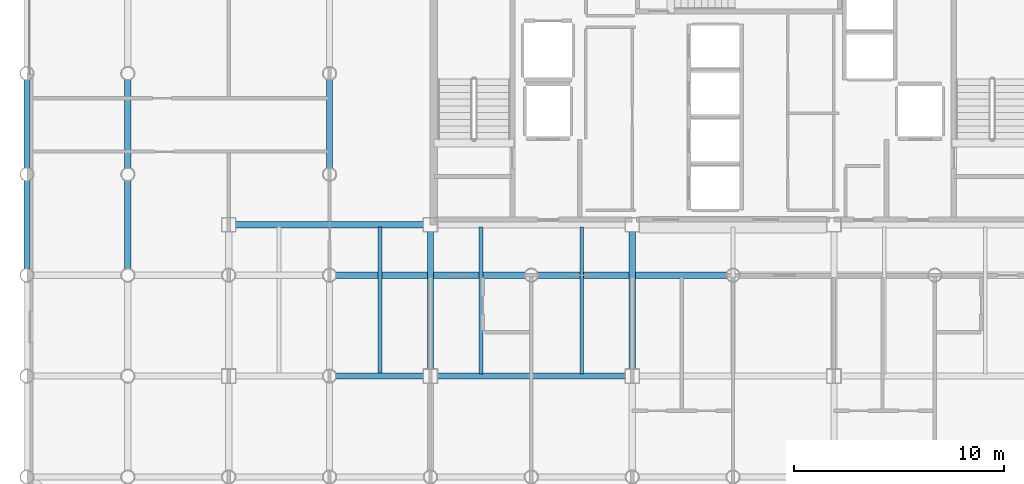
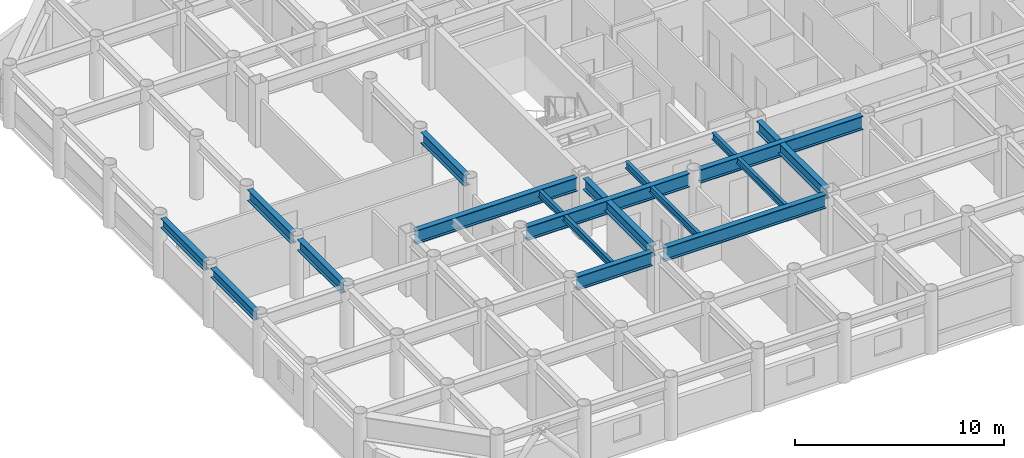
# One storey, part 3 of 20: 15 beams.
"""IFC4 building model written with IfcOpenShell, lengths in metres."""

import ifcopenshell
import ifcopenshell.guid

model = None  # the IFC model being written
_history = None  # IfcOwnerHistory: only IFC2X3 demands one
_inside = {}  # id of a spatial element -> (the spatial element, [elements in it])
_under = {}  # id of a project, library or spatial element -> (it, [spatial elements below it])
_declared = {}  # id of a project -> (the project, [libraries it declares])
_typed = {}  # id of a type object -> (the type object, [elements of that type])
_made_of = {}  # id of a material, layer set ... -> (it, [elements and type objects made of it])


def new_model(schema):
    """Start an empty IFC model of exactly this schema.

    Asked for "IFC4X3", IfcOpenShell would pick the latest addendum, in which some entities
    have other attributes; the version numbers below select the first issue.
    IFC2X3 requires an IfcOwnerHistory on every rooted entity: one is made here for all.
    """
    global model, _history
    if schema == "IFC4X3":
        model = ifcopenshell.file(schema_version=(4, 3, 0, 0))
    else:
        model = ifcopenshell.file(schema=schema)
    _inside.clear()
    _under.clear()
    _declared.clear()
    _typed.clear()
    _made_of.clear()
    _history = None
    if model.schema == "IFC2X3":
        org = make("IfcOrganization", Name="unknown")
        user = make(
            "IfcPersonAndOrganization",
            ThePerson=make("IfcPerson", FamilyName="unknown"),
            TheOrganization=org,
        )
        app = make(
            "IfcApplication",
            ApplicationDeveloper=org,
            Version="unknown",
            ApplicationFullName="unknown",
            ApplicationIdentifier="unknown",
        )
        _history = make(
            "IfcOwnerHistory",
            OwningUser=user,
            OwningApplication=app,
            ChangeAction="ADDED",
            CreationDate=0,
        )
    return model


def make(cls, **values):
    """One entity of the class cls with the attributes given. An attribute that is None is left unset."""
    return model.create_entity(
        cls, **{name: value for name, value in values.items() if value is not None}
    )


def rooted(cls, **values):
    """An entity with a GlobalId (a new one), such as an element, a storey or a relation."""
    return make(cls, GlobalId=ifcopenshell.guid.new(), OwnerHistory=_history, **values)


def si_unit(unit_type, name, prefix=None):
    """IfcSIUnit, for example si_unit("LENGTHUNIT", "METRE", prefix="MILLI")."""
    return make("IfcSIUnit", UnitType=unit_type, Prefix=prefix, Name=name)


def assignment(units):
    """IfcUnitAssignment: the units of a project."""
    return None if units is None else make("IfcUnitAssignment", Units=units)


def point(xyz):
    """IfcCartesianPoint."""
    return None if xyz is None else make("IfcCartesianPoint", Coordinates=xyz)


def direction(xyz):
    """IfcDirection."""
    return None if xyz is None else make("IfcDirection", DirectionRatios=xyz)


def frame(location, z_axis=None, x_axis=None):
    """IfcAxis2Placement3D, a coordinate frame: its origin and axes. An axis left out is left unset."""
    return make(
        "IfcAxis2Placement3D",
        Location=point(location),
        Axis=direction(z_axis),
        RefDirection=direction(x_axis),
    )


def frame_2d(location, x_axis=None):
    """IfcAxis2Placement2D, a coordinate frame in the plane: its origin and x axis."""
    return make(
        "IfcAxis2Placement2D", Location=point(location), RefDirection=direction(x_axis)
    )


def origin():
    """The frame at (0, 0, 0) with its axes left unset."""
    return frame((0.0, 0.0, 0.0))


def origin_2d():
    """The frame at (0, 0) in the plane with its x axis left unset."""
    return frame_2d((0.0, 0.0))


def place(relative_to, where):
    """IfcLocalPlacement: puts the frame where relative to a parent placement (None: the world)."""
    return make(
        "IfcLocalPlacement", PlacementRelTo=relative_to, RelativePlacement=where
    )


def context(
    kind, dimensions, precision=None, world=None, true_north=None, identifier=None
):
    """IfcGeometricRepresentationContext, for example the 3D "Model" context."""
    return make(
        "IfcGeometricRepresentationContext",
        ContextIdentifier=identifier,
        ContextType=kind,
        CoordinateSpaceDimension=dimensions,
        Precision=precision,
        WorldCoordinateSystem=world,
        TrueNorth=true_north,
    )


def subcontext(parent, identifier, kind, view, scale=None):
    """IfcGeometricRepresentationSubContext, for example "Body" below "Model"."""
    return make(
        "IfcGeometricRepresentationSubContext",
        ContextIdentifier=identifier,
        ContextType=kind,
        ParentContext=parent,
        TargetScale=scale,
        TargetView=view,
    )


def project(units=None, contexts=None):
    """IfcProject with its units and contexts."""
    return rooted(
        "IfcProject",
        Name="project",
        RepresentationContexts=contexts,
        UnitsInContext=assignment(units),
    )


def spatial(cls, under=None, at=None, **own):
    """A site, building, storey or space (cls), placed at a placement, below another one or the project."""
    s = rooted(cls, ObjectPlacement=at, **own)
    if under is not None:
        _under.setdefault(under.id(), (under, []))[1].append(s)
    return s


def profile(cls, at=None, kind="AREA", **sizes):
    """A parametric profile (cls). Its sizes go by their IFC names, for example OverallWidth=200.0."""
    return make(cls, ProfileType=kind, Position=at, **sizes)


def i_section(**sizes):
    """IfcIShapeProfileDef."""
    return profile("IfcIShapeProfileDef", **sizes)


def extrude(swept, where, along, depth):
    """IfcExtrudedAreaSolid: the profile swept, set in the frame where, extruded along a direction by depth."""
    return make(
        "IfcExtrudedAreaSolid",
        SweptArea=swept,
        Position=where,
        ExtrudedDirection=direction(along),
        Depth=depth,
    )


def shape(context_of_items, identifier, shape_type, items):
    """IfcShapeRepresentation: the items that make up one representation, for example the "Body"."""
    return make(
        "IfcShapeRepresentation",
        ContextOfItems=context_of_items,
        RepresentationIdentifier=identifier,
        RepresentationType=shape_type,
        Items=items,
    )


def material(Name=None, Category=None):
    """IfcMaterial."""
    return make("IfcMaterial", Name=Name, Category=Category)


def material_profile(
    of_material, cross_section, Name=None, Category=None, Priority=None
):
    """IfcMaterialProfile: a cross section and its material."""
    return make(
        "IfcMaterialProfile",
        Name=Name,
        Material=of_material,
        Profile=cross_section,
        Priority=Priority,
        Category=Category,
    )


def profile_set(profiles, Name=None, composite=None):
    """IfcMaterialProfileSet."""
    return make(
        "IfcMaterialProfileSet",
        Name=Name,
        MaterialProfiles=profiles,
        CompositeProfile=composite,
    )


def made_of(thing, what):
    """Note that an element or type object is made of a material, layer set ...; save() writes the relation."""
    if what is not None:
        _made_of.setdefault(what.id(), (what, []))[1].append(thing)
    return thing


def type_object(cls, material=None, **own):
    """A type object (cls), such as IfcWallType, which elements share."""
    return made_of(rooted(cls, **own), material)


def element(
    cls,
    number,
    at=None,
    inside=None,
    cuts=None,
    type_object=None,
    material=None,
    context=None,
    identifier="Body",
    shape_type=None,
    held_by="IfcProductDefinitionShape",
    body=None,
    shapes=None,
    **own,
):
    """One element of the class cls, such as IfcWall. Its Tag is "e" and its number.

    at: its placement. inside: the storey or other place that contains it. cuts: it is an
    opening in that element (IfcRelVoidsElement). A single representation is given by context,
    identifier, shape_type and body (its items); several are given by shapes. held_by: the class
    of the entity that holds the representations. save() writes the other relations.
    """
    e = rooted(cls, Tag="e%d" % number, ObjectPlacement=at, **own)
    if body is not None:
        shapes = [shape(context, identifier, shape_type, body)]
    if shapes is not None:
        e.Representation = make(held_by, Representations=shapes)
    if inside is not None:
        _inside.setdefault(inside.id(), (inside, []))[1].append(e)
    if cuts is not None:
        rooted(
            "IfcRelVoidsElement", RelatingBuildingElement=cuts, RelatedOpeningElement=e
        )
    if type_object is not None:
        _typed.setdefault(type_object.id(), (type_object, []))[1].append(e)
    return made_of(e, material)


def aggregate(whole, parts):
    """IfcRelAggregates: a whole, such as a stair, and the parts it consists of."""
    return rooted("IfcRelAggregates", RelatingObject=whole, RelatedObjects=parts)


def save(model, path):
    """Write the relations noted so far, then the file.

    IfcRelAggregates (storeys below a building ...), IfcRelContainedInSpatialStructure (elements
    in a storey), IfcRelDefinesByType, IfcRelAssociatesMaterial and IfcRelDeclares: one each for
    every whole, place, type object, material and project.
    """
    for whole, parts in _under.values():
        aggregate(whole, parts)
    for where, things in _inside.values():
        rooted(
            "IfcRelContainedInSpatialStructure",
            RelatedElements=things,
            RelatingStructure=where,
        )
    for kind, things in _typed.values():
        rooted("IfcRelDefinesByType", RelatedObjects=things, RelatingType=kind)
    for what, things in _made_of.values():
        rooted("IfcRelAssociatesMaterial", RelatedObjects=things, RelatingMaterial=what)
    for by, libraries in _declared.values():
        rooted("IfcRelDeclares", RelatingContext=by, RelatedDefinitions=libraries)
    model.write(path)


model = new_model("IFC4")

# Units and contexts
model_context = context("Model", 3, precision=1e-05, world=origin(), true_north=direction((0.0, 1.0)))
body_context = subcontext(model_context, "Body", "Model", "MODEL_VIEW")
ifc_project = project(units=[si_unit("LENGTHUNIT", "METRE"), si_unit("AREAUNIT", "SQUARE_METRE"), si_unit("VOLUMEUNIT", "CUBIC_METRE"), si_unit("PLANEANGLEUNIT", "RADIAN"), si_unit("MASSUNIT", "GRAM", prefix="KILO")], contexts=[model_context])

# Site, building, storey
site_placement = place(None, origin())
site = spatial("IfcSite", under=ifc_project, at=site_placement, CompositionType="ELEMENT")
building_placement = place(site_placement, origin())
building = spatial("IfcBuilding", under=site, at=building_placement, Name="Kallvorn Hotel Tower", CompositionType="ELEMENT")
storey_placement = place(building_placement, frame((0.0, 0.0, 158.10009765625)))
storey = spatial("IfcBuildingStorey", under=building, at=storey_placement, Name="L39", CompositionType="ELEMENT", Elevation=158.10009765625)

# Beams
ifc_material_1 = material(Name="Structural steel S355JR", Category="steel")
ifc_material_profile_1 = material_profile(ifc_material_1, i_section(OverallWidth=0.300048828125, OverallDepth=0.550048828125, WebThickness=0.014892578125, FlangeThickness=0.029052734375, at=origin_2d()), Name="HE 550 B")
ifc_profile_set_1 = profile_set([ifc_material_profile_1], Name="Structural steel S355JR")
beam_type_1 = type_object("IfcBeamType", Name="BM_HE550B", PredefinedType="SPANDREL", material=ifc_profile_set_1)
for number, where, z_axis, x_axis, name in (
    (1, (-33.60009765625, -9.280029296875, 3.244873046875), (0.0, 1.0, 0.0), (-1.0, 0.0, 0.0), "L40 Perimeter Spandrel 176"),
    (2, (-33.60009765625, -4.47998046875, 3.244873046875), (0.0, 1.0, 0.0), (-1.0, 0.0, 0.0), "L40 Perimeter Spandrel 177"),
):
    element("IfcBeam", number, at=place(storey_placement, frame(where, z_axis=z_axis, x_axis=x_axis)), inside=storey, type_object=beam_type_1, Name=name, PredefinedType="SPANDREL", context=body_context, shape_type="SweptSolid", body=[
        extrude(i_section(OverallWidth=0.300048828125, OverallDepth=0.550048828125, WebThickness=0.014892578125, FlangeThickness=0.029052734375, at=origin_2d()), origin(), (0.0, 0.0, 1.0), 4.159912109375),
    ])
ifc_material_2 = material(Name="Structural steel S355JR", Category="steel")
ifc_material_profile_2 = material_profile(ifc_material_2, i_section(OverallWidth=0.300048828125, OverallDepth=0.64990234375, WebThickness=0.01611328125, FlangeThickness=0.031005859375, at=origin_2d()), Name="HE 650 B")
ifc_profile_set_2 = profile_set([ifc_material_profile_2], Name="Structural steel S355JR")
beam_type_2 = type_object("IfcBeamType", Name="BM_HE650B", PredefinedType="BEAM", material=ifc_profile_set_2)
beam_1_placement = place(storey_placement, frame((-28.800048828125, -9.294921875, 3.19482421875), z_axis=(0.0, 1.0, 0.0), x_axis=(-1.0, 0.0, 0.0)))
element("IfcBeam", 3, at=beam_1_placement, inside=storey, type_object=beam_type_2, Name="L40 Primary Y-Girder 76", PredefinedType="BEAM", context=body_context, shape_type="SweptSolid", body=[
    extrude(i_section(OverallWidth=0.300048828125, OverallDepth=0.64990234375, WebThickness=0.01611328125, FlangeThickness=0.031005859375, at=origin_2d()), origin(), (0.0, 0.0, 1.0), 4.18994140625),
])
for number, where, z_axis, x_axis, name in (
    (4, (-28.800048828125, -4.4951171875, 3.19482421875), (0.0, 1.0, 0.0), (-1.0, 0.0, 0.0), "L40 Primary Y-Girder 77"),
    (5, (-19.199951171875, -4.4951171875, 3.19482421875), (0.0, 1.0, 0.0), (-1.0, 0.0, 0.0), "L40 Primary Y-Girder 93"),
):
    element("IfcBeam", number, at=place(storey_placement, frame(where, z_axis=z_axis, x_axis=x_axis)), inside=storey, type_object=beam_type_2, Name=name, PredefinedType="BEAM", context=body_context, shape_type="SweptSolid", body=[
        extrude(i_section(OverallWidth=0.300048828125, OverallDepth=0.64990234375, WebThickness=0.01611328125, FlangeThickness=0.031005859375, at=origin_2d()), origin(), (0.0, 0.0, 1.0), 4.190185546875),
    ])
for number, where, z_axis, x_axis, name in (
    (6, (-14.39990234375, -14.074951171875, 3.19482421875), (0.0, 1.0, 0.0), (-1.0, 0.0, 0.0), "L40 Primary Y-Girder 100"),
    (7, (-4.800048828125, -14.074951171875, 3.19482421875), (0.0, 1.0, 0.0), (-1.0, 0.0, 0.0), "L40 Primary Y-Girder 108"),
):
    element("IfcBeam", number, at=place(storey_placement, frame(where, z_axis=z_axis, x_axis=x_axis)), inside=storey, type_object=beam_type_2, Name=name, PredefinedType="BEAM", context=body_context, shape_type="SweptSolid", body=[
        extrude(i_section(OverallWidth=0.300048828125, OverallDepth=0.64990234375, WebThickness=0.01611328125, FlangeThickness=0.031005859375, at=origin_2d()), origin(), (0.0, 0.0, 1.0), 6.550048828125),
    ])
ifc_material_3 = material(Name="Structural steel S355JR", Category="steel")
ifc_material_profile_3 = material_profile(ifc_material_3, i_section(OverallWidth=0.300048828125, OverallDepth=0.800048828125, WebThickness=0.017578125, FlangeThickness=0.032958984375, at=origin_2d()), Name="HE 800 B")
ifc_profile_set_3 = profile_set([ifc_material_profile_3], Name="Structural steel S355JR")
beam_type_3 = type_object("IfcBeamType", Name="BM_HE800B", PredefinedType="BEAM", material=ifc_profile_set_3)
beam_2_placement = place(storey_placement, frame((-18.89501953125, -14.39990234375, 3.119873046875), z_axis=(1.0, 0.0, 0.0), x_axis=(0.0, 1.0, 0.0)))
element("IfcBeam", 8, at=beam_2_placement, inside=storey, type_object=beam_type_3, Name="L40 Primary X-Girder 17", PredefinedType="BEAM", context=body_context, shape_type="SweptSolid", body=[
    extrude(i_section(OverallWidth=0.300048828125, OverallDepth=0.800048828125, WebThickness=0.017578125, FlangeThickness=0.032958984375, at=origin_2d()), origin(), (0.0, 0.0, 1.0), 4.169921875),
])
beam_3_placement = place(storey_placement, frame((-14.074951171875, -14.39990234375, 3.119873046875), z_axis=(1.0, 0.0, 0.0), x_axis=(0.0, 1.0, 0.0)))
element("IfcBeam", 9, at=beam_3_placement, inside=storey, type_object=beam_type_3, Name="L40 Primary X-Girder 18", PredefinedType="BEAM", context=body_context, shape_type="SweptSolid", body=[
    extrude(i_section(OverallWidth=0.300048828125, OverallDepth=0.800048828125, WebThickness=0.017578125, FlangeThickness=0.032958984375, at=origin_2d()), origin(), (0.0, 0.0, 1.0), 8.949951171875),
])
for number, where, z_axis, x_axis, name in (
    (10, (-18.89501953125, -9.60009765625, 3.119873046875), (1.0, 0.0, 0.0), (0.0, 1.0, 0.0), "L40 Primary X-Girder 27"),
    (11, (-9.294921875, -9.60009765625, 3.119873046875), (1.0, 0.0, 0.0), (0.0, 1.0, 0.0), "L40 Primary X-Girder 28"),
):
    element("IfcBeam", number, at=place(storey_placement, frame(where, z_axis=z_axis, x_axis=x_axis)), inside=storey, type_object=beam_type_3, Name=name, PredefinedType="BEAM", context=body_context, shape_type="SweptSolid", body=[
        extrude(i_section(OverallWidth=0.300048828125, OverallDepth=0.800048828125, WebThickness=0.017578125, FlangeThickness=0.032958984375, at=origin_2d()), origin(), (0.0, 0.0, 1.0), 8.989990234375),
    ])
beam_4_placement = place(storey_placement, frame((-23.675048828125, -7.199951171875, 3.119873046875), z_axis=(1.0, 0.0, 0.0), x_axis=(0.0, 1.0, 0.0)))
element("IfcBeam", 12, at=beam_4_placement, inside=storey, type_object=beam_type_3, Name="L40 Primary X-Girder 33", PredefinedType="BEAM", context=body_context, shape_type="SweptSolid", body=[
    extrude(i_section(OverallWidth=0.300048828125, OverallDepth=0.800048828125, WebThickness=0.017578125, FlangeThickness=0.032958984375, at=origin_2d()), origin(), (0.0, 0.0, 1.0), 8.949951171875),
])
ifc_material_4 = material(Name="Structural steel S355JR", Category="steel")
ifc_material_profile_4 = material_profile(ifc_material_4, i_section(OverallWidth=0.179931640625, OverallDepth=0.39990234375, WebThickness=0.008544921875, FlangeThickness=0.013427734375, at=origin_2d()), Name="IPE 400")
ifc_profile_set_4 = profile_set([ifc_material_profile_4], Name="Structural steel S355JR")
beam_type_4 = type_object("IfcBeamType", Name="BM_IPE400", PredefinedType="JOIST", material=ifc_profile_set_4)
for number, where, z_axis, x_axis, name in (
    (13, (-16.800048828125, -14.300048828125, 3.31982421875), (0.0, 1.0, 0.0), (-1.0, 0.0, 0.0), "L40 Secondary Composite Joist 194"),
    (14, (-12.0, -14.300048828125, 3.31982421875), (0.0, 1.0, 0.0), (-1.0, 0.0, 0.0), "L40 Secondary Composite Joist 196"),
    (15, (-7.199951171875, -14.300048828125, 3.31982421875), (0.0, 1.0, 0.0), (-1.0, 0.0, 0.0), "L40 Secondary Composite Joist 198"),
):
    element("IfcBeam", number, at=place(storey_placement, frame(where, z_axis=z_axis, x_axis=x_axis)), inside=storey, type_object=beam_type_4, Name=name, PredefinedType="JOIST", context=body_context, shape_type="SweptSolid", body=[
        extrude(i_section(OverallWidth=0.179931640625, OverallDepth=0.39990234375, WebThickness=0.008544921875, FlangeThickness=0.013427734375, at=origin_2d()), origin(), (0.0, 0.0, 1.0), 7.0),
    ])

save(model, "model.ifc")
